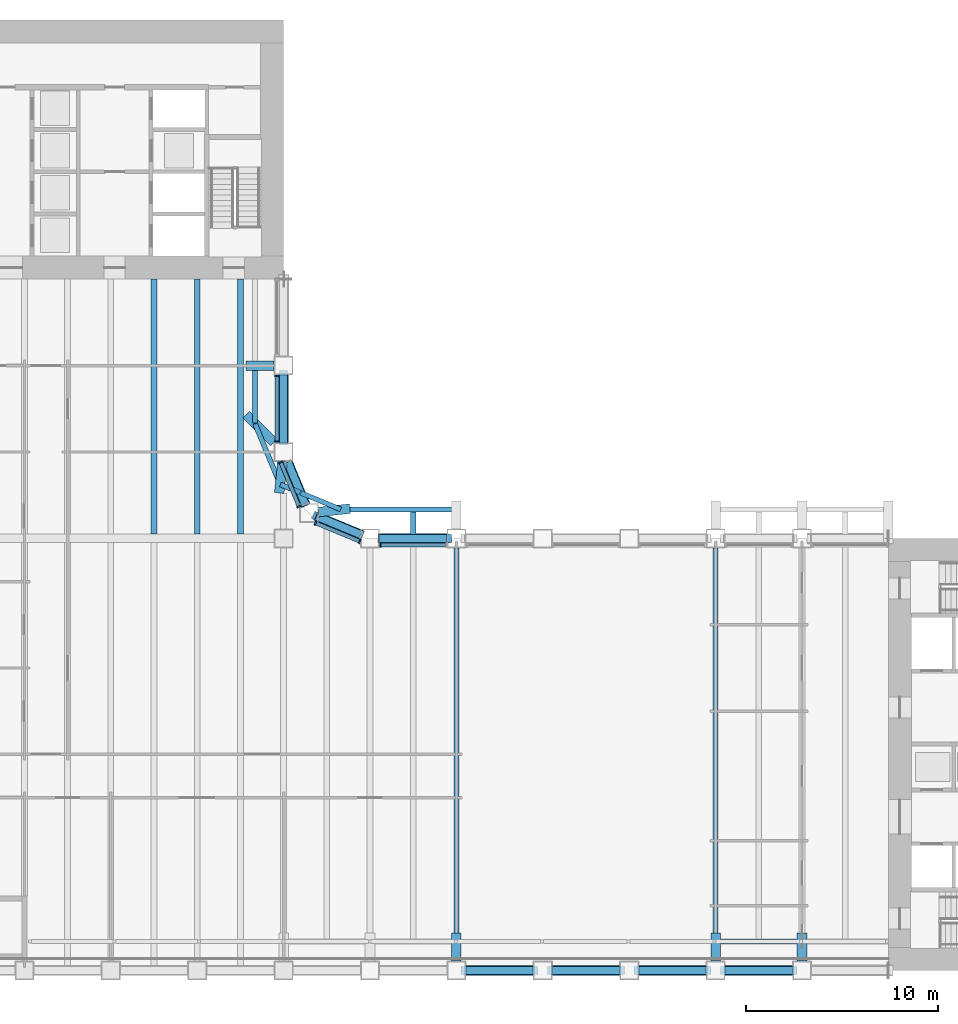
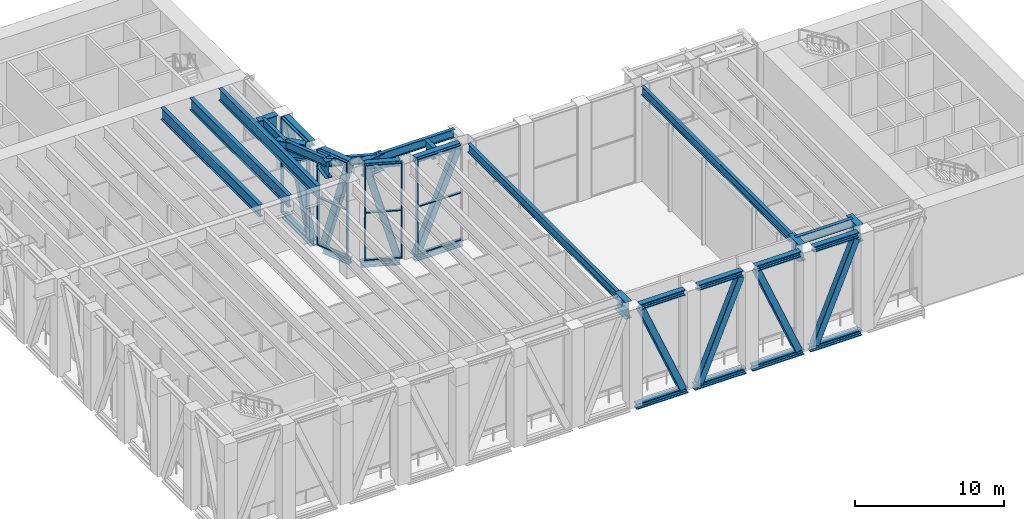
# One storey, part 2 of 21: 43 members, 19 beams, 4 elements without a shape of their own.
"""IFC4 building model written with IfcOpenShell, lengths in metres."""

from ifc_helpers import new_model, si_unit, direction, frame, origin, origin_2d, place, context, subcontext, project, spatial, rectangle, hollow_rectangle, i_section, extrude, material, material_profile, profile_set, type_object, element, aggregate, save


model = new_model("IFC4")

# Units and contexts
model_context = context("Model", 3, precision=1e-05, world=origin(), true_north=direction((0.0, 1.0)))
body_context = subcontext(model_context, "Body", "Model", "MODEL_VIEW")
ifc_project = project(units=[si_unit("LENGTHUNIT", "METRE"), si_unit("AREAUNIT", "SQUARE_METRE"), si_unit("VOLUMEUNIT", "CUBIC_METRE"), si_unit("PLANEANGLEUNIT", "RADIAN"), si_unit("MASSUNIT", "GRAM", prefix="KILO")], contexts=[model_context])

# Site, building, storey
site_placement = place(None, origin())
site = spatial("IfcSite", under=ifc_project, at=site_placement, CompositionType="ELEMENT")
building_placement = place(site_placement, origin())
building = spatial("IfcBuilding", under=site, at=building_placement, Name="Sennacour Bend Tower", CompositionType="ELEMENT")
storey_placement = place(building_placement, frame((0.0, 0.0, 131.0)))
storey = spatial("IfcBuildingStorey", under=building, at=storey_placement, Name="L30", CompositionType="ELEMENT", Elevation=131.0)

# Members
ifc_material_1 = material(Name="Steel ASTM A992 Grade 50", Category="steel")
ifc_material_profile_1 = material_profile(ifc_material_1, i_section(OverallWidth=0.4189453125, OverallDepth=0.455078125, WebThickness=0.042236328125, FlangeThickness=0.067626953125, FilletRadius=0.01513671875, at=origin_2d()), Name="Steel ASTM A992 Grade 50", Category="steel")
ifc_profile_set_1 = profile_set([ifc_material_profile_1], Name="Steel ASTM A992 Grade 50")
member_type_1 = type_object("IfcMemberType", Name="Belt truss chord W360X551", PredefinedType="CHORD", material=ifc_profile_set_1)
member_1_placement = place(storey_placement, frame((22.5, 31.25, -0.4775390625), z_axis=(0.0, -1.0, 0.0), x_axis=(1.0, 0.0, 0.0)))
element("IfcMember", 1, at=member_1_placement, inside=storey, type_object=member_type_1, Name="Belt truss chord BC L30-005", PredefinedType="CHORD", context=body_context, shape_type="SweptSolid", body=[
    extrude(i_section(OverallWidth=0.4189453125, OverallDepth=0.455078125, WebThickness=0.042236328125, FlangeThickness=0.067626953125, FilletRadius=0.01513671875, at=origin_2d()), origin(), (0.0, 0.0, 1.0), 3.896484375),
])
member_2_placement = place(storey_placement, frame((22.75, 26.396484375, -0.4775390625), z_axis=(0.382674756939, -0.923883125943, 0.0), x_axis=(0.923883125943, 0.382674756939, 0.0)))
element("IfcMember", 2, at=member_2_placement, inside=storey, type_object=member_type_1, Name="Belt truss chord BC L30-006", PredefinedType="CHORD", context=body_context, shape_type="SweptSolid", body=[
    extrude(i_section(OverallWidth=0.4189453125, OverallDepth=0.455078125, WebThickness=0.042236328125, FlangeThickness=0.067626953125, FilletRadius=0.01513671875, at=origin_2d()), origin(), (0.0, 0.0, 1.0), 2.27001953125),
])
member_3_placement = place(storey_placement, frame((24.05859375, 23.71826171875, -0.4775390625), z_axis=(0.923899496271, -0.38263523203, 0.0), x_axis=(0.38263523203, 0.923899496271, 0.0)))
element("IfcMember", 3, at=member_3_placement, inside=storey, type_object=member_type_1, Name="Belt truss chord BC L30-007", PredefinedType="CHORD", context=body_context, shape_type="SweptSolid", body=[
    extrude(i_section(OverallWidth=0.4189453125, OverallDepth=0.455078125, WebThickness=0.042236328125, FlangeThickness=0.067626953125, FilletRadius=0.01513671875, at=origin_2d()), origin(), (0.0, 0.0, 1.0), 2.66259765625),
])
member_4_placement = place(storey_placement, frame((27.505859375, 22.5, -0.4775390625), z_axis=(1.0, 0.0, 0.0), x_axis=(0.0, 1.0, 0.0)))
element("IfcMember", 4, at=member_4_placement, inside=storey, type_object=member_type_1, Name="Belt truss chord BC L30-008", PredefinedType="CHORD", context=body_context, shape_type="SweptSolid", body=[
    extrude(i_section(OverallWidth=0.4189453125, OverallDepth=0.455078125, WebThickness=0.042236328125, FlangeThickness=0.067626953125, FilletRadius=0.01513671875, at=origin_2d()), origin(), (0.0, 0.0, 1.0), 3.744140625),
])
for number, where, z_axis, x_axis, name in (
    (5, (49.25, 0.0, -0.4775390625), (-1.0, 0.0, 0.0), (0.0, -1.0, 0.0), "Belt truss chord BC L30-015"),
    (6, (44.75, 0.0, -0.4775390625), (-1.0, 0.0, 0.0), (0.0, -1.0, 0.0), "Belt truss chord BC L30-016"),
    (7, (40.25, 0.0, -0.4775390625), (-1.0, 0.0, 0.0), (0.0, -1.0, 0.0), "Belt truss chord BC L30-017"),
    (8, (35.75, 0.0, -0.4775390625), (-1.0, 0.0, 0.0), (0.0, -1.0, 0.0), "Belt truss chord BC L30-018"),
):
    element("IfcMember", number, at=place(storey_placement, frame(where, z_axis=z_axis, x_axis=x_axis)), inside=storey, type_object=member_type_1, Name=name, PredefinedType="CHORD", context=body_context, shape_type="SweptSolid", body=[
        extrude(i_section(OverallWidth=0.4189453125, OverallDepth=0.455078125, WebThickness=0.042236328125, FlangeThickness=0.067626953125, FilletRadius=0.01513671875, at=origin_2d()), origin(), (0.0, 0.0, 1.0), 4.0),
    ])
member_5_placement = place(storey_placement, frame((22.5, 31.0, 7.62255859375), z_axis=(0.0, -1.0, 0.0), x_axis=(1.0, 0.0, 0.0)))
element("IfcMember", 9, at=member_5_placement, inside=storey, type_object=member_type_1, Name="Belt truss chord BC L30-005", PredefinedType="CHORD", context=body_context, shape_type="SweptSolid", body=[
    extrude(i_section(OverallWidth=0.4189453125, OverallDepth=0.455078125, WebThickness=0.042236328125, FlangeThickness=0.067626953125, FilletRadius=0.01513671875, at=origin_2d()), origin(), (0.0, 0.0, 1.0), 3.5),
])
for number, where, z_axis, x_axis, name in (
    (10, (22.70703125, 26.5, 7.62255859375), (0.382698732017, -0.92387319504, 0.0), (0.92387319504, 0.382698732017, 0.0), "Belt truss chord BC L30-006"),
    (11, (24.318115234375, 23.61083984375, 7.62255859375), (0.92387319504, -0.382698732017, 0.0), (0.382698732017, 0.92387319504, 0.0), "Belt truss chord BC L30-007"),
):
    element("IfcMember", number, at=place(storey_placement, frame(where, z_axis=z_axis, x_axis=x_axis)), inside=storey, type_object=member_type_1, Name=name, PredefinedType="CHORD", context=body_context, shape_type="SweptSolid", body=[
        extrude(i_section(OverallWidth=0.4189453125, OverallDepth=0.455078125, WebThickness=0.042236328125, FlangeThickness=0.067626953125, FilletRadius=0.01513671875, at=origin_2d()), origin(), (0.0, 0.0, 1.0), 2.361572265625),
    ])
for number, where, z_axis, x_axis, name in (
    (12, (27.5, 22.5, 7.62255859375), (1.0, 0.0, 0.0), (0.0, 1.0, 0.0), "Belt truss chord BC L30-008"),
    (13, (49.0, 0.0, 7.62255859375), (-1.0, 0.0, 0.0), (0.0, -1.0, 0.0), "Belt truss chord BC L30-015"),
    (14, (44.5, 0.0, 7.62255859375), (-1.0, 0.0, 0.0), (0.0, -1.0, 0.0), "Belt truss chord BC L30-016"),
    (15, (40.0, 0.0, 7.62255859375), (-1.0, 0.0, 0.0), (0.0, -1.0, 0.0), "Belt truss chord BC L30-017"),
    (16, (35.5, 0.0, 7.62255859375), (-1.0, 0.0, 0.0), (0.0, -1.0, 0.0), "Belt truss chord BC L30-018"),
):
    element("IfcMember", number, at=place(storey_placement, frame(where, z_axis=z_axis, x_axis=x_axis)), inside=storey, type_object=member_type_1, Name=name, PredefinedType="CHORD", context=body_context, shape_type="SweptSolid", body=[
        extrude(i_section(OverallWidth=0.4189453125, OverallDepth=0.455078125, WebThickness=0.042236328125, FlangeThickness=0.067626953125, FilletRadius=0.01513671875, at=origin_2d()), origin(), (0.0, 0.0, 1.0), 3.5),
    ])
ifc_material_2 = material(Name="Steel ASTM A500 Grade C", Category="steel")
ifc_material_profile_2 = material_profile(ifc_material_2, hollow_rectangle(XDim=0.508056640625, YDim=0.508056640625, WallThickness=0.01904296875, InnerFilletRadius=0.01904296875, OuterFilletRadius=0.0380859375, at=origin_2d()), Name="Steel ASTM A500 Grade C", Category="steel")
ifc_profile_set_2 = profile_set([ifc_material_profile_2], Name="Steel ASTM A500 Grade C")
member_type_2 = type_object("IfcMemberType", Name="Belt truss diagonal 508", PredefinedType="BRACE", material=ifc_profile_set_2)
member_6_placement = place(storey_placement, frame((22.5, 30.85009765625, 7.39501953125), z_axis=(0.0, -0.386133424753, -0.922442940397), x_axis=(1.0, 0.0, 0.0)))
element("IfcMember", 17, at=member_6_placement, inside=storey, type_object=member_type_2, Name="Belt truss diagonal BD L30-003", PredefinedType="BRACE", context=body_context, shape_type="SweptSolid", body=[
    extrude(hollow_rectangle(XDim=0.508056640625, YDim=0.508056640625, WallThickness=0.01904296875, InnerFilletRadius=0.01904296875, OuterFilletRadius=0.0380859375, at=origin_2d()), origin(), (0.0, 0.0, 1.0), 8.287841796875),
])
for number, where, z_axis, x_axis, name in (
    (18, (22.748779296875, 26.3994140625, -0.25), (0.103344478525, -0.24949035964, 0.96284706948), (0.923876668051, 0.38269034771, 0.0), "Belt truss diagonal BD L30-004"),
    (19, (24.41845703125, 23.5693359375, 7.39501953125), (0.24949035964, -0.103344478525, -0.96284706948), (0.38269034771, 0.923876668051, 0.0), "Belt truss diagonal BD L30-005"),
):
    element("IfcMember", number, at=place(storey_placement, frame(where, z_axis=z_axis, x_axis=x_axis)), inside=storey, type_object=member_type_2, Name=name, PredefinedType="BRACE", context=body_context, shape_type="SweptSolid", body=[
        extrude(hollow_rectangle(XDim=0.508056640625, YDim=0.508056640625, WallThickness=0.01904296875, InnerFilletRadius=0.01904296875, OuterFilletRadius=0.0380859375, at=origin_2d()), origin(), (0.0, 0.0, 1.0), 7.93994140625),
    ])
for number, where, z_axis, x_axis, name in (
    (20, (27.64990234375, 22.5, -0.25), (0.386133424753, 0.0, 0.922442940397), (0.0, 1.0, 0.0), "Belt truss diagonal BD L30-006"),
    (21, (48.85009765625, 0.0, 7.39501953125), (-0.386133424753, 0.0, -0.922442940397), (0.0, -1.0, 0.0), "Belt truss diagonal BD L30-011"),
    (22, (44.35009765625, 0.0, -0.25), (-0.386133424753, 0.0, 0.922442940397), (0.0, -1.0, 0.0), "Belt truss diagonal BD L30-012"),
    (23, (39.85009765625, 0.0, 7.39501953125), (-0.386133424753, 0.0, -0.922442940397), (0.0, -1.0, 0.0), "Belt truss diagonal BD L30-013"),
    (24, (35.35009765625, 0.0, -0.25), (-0.386133424753, 0.0, 0.922442940397), (0.0, -1.0, 0.0), "Belt truss diagonal BD L30-014"),
):
    element("IfcMember", number, at=place(storey_placement, frame(where, z_axis=z_axis, x_axis=x_axis)), inside=storey, type_object=member_type_2, Name=name, PredefinedType="BRACE", context=body_context, shape_type="SweptSolid", body=[
        extrude(hollow_rectangle(XDim=0.508056640625, YDim=0.508056640625, WallThickness=0.01904296875, InnerFilletRadius=0.01904296875, OuterFilletRadius=0.0380859375, at=origin_2d()), origin(), (0.0, 0.0, 1.0), 8.287841796875),
    ])

# Curtain wall, members
ifc_material_3 = material(Name="Bronze anodised aluminium curtain wall with clear glass", Category="aluminium")
curtain_wall_type = type_object("IfcCurtainWallType", Name="CURTAIN WALL GARDEN", PredefinedType="NOTDEFINED", material=ifc_material_3)
curtain_wall_1_placement = place(storey_placement, origin())
curtain_wall_1 = element("IfcCurtainWall", 25, at=curtain_wall_1_placement, inside=storey, type_object=curtain_wall_type, Name="Sky garden glass wall L30", PredefinedType="NOTDEFINED")
ifc_material_4 = material(Name="Aluminium 6063-T6", Category="aluminium")
ifc_material_profile_3 = material_profile(ifc_material_4, rectangle(XDim=0.25, YDim=0.080078125, at=origin_2d()), Name="Aluminium 6063-T6", Category="aluminium")
ifc_profile_set_3 = profile_set([ifc_material_profile_3], Name="Aluminium 6063-T6")
member_type_3 = type_object("IfcMemberType", Name="CW-MULLION-250X80", PredefinedType="MULLION", material=ifc_profile_set_3)
member_7_placement = place(storey_placement, frame((22.156005859375, 30.9599609375, 0.0), z_axis=(0.0, 0.0, 1.0), x_axis=(1.0, 0.0, 0.0)))
member_7 = element("IfcMember", 26, at=member_7_placement, type_object=member_type_3, Name="GW6 curtain wall mullion 1", PredefinedType="MULLION", context=body_context, shape_type="SweptSolid", body=[
    extrude(rectangle(XDim=0.25, YDim=0.080078125, at=origin_2d()), origin(), (0.0, 0.0, 1.0), 7.85009765625),
])
member_8_placement = place(storey_placement, frame((22.156005859375, 27.5400390625, 0.0), z_axis=(0.0, 0.0, 1.0), x_axis=(1.0, 0.0, 0.0)))
member_8 = element("IfcMember", 27, at=member_8_placement, type_object=member_type_3, Name="GW6 curtain wall mullion 2", PredefinedType="MULLION", context=body_context, shape_type="SweptSolid", body=[
    extrude(rectangle(XDim=0.25, YDim=0.080078125, at=origin_2d()), origin(), (0.0, 0.0, 1.0), 7.85009765625),
])

# Curtain wall, member
curtain_wall_2_placement = place(storey_placement, origin())
curtain_wall_2 = element("IfcCurtainWall", 28, at=curtain_wall_2_placement, inside=storey, type_object=curtain_wall_type, Name="Sky garden glass wall L30", PredefinedType="NOTDEFINED")
member_9_placement = place(storey_placement, frame((27.5400390625, 22.156005859375, 0.0), z_axis=(0.0, 0.0, 1.0), x_axis=(0.0, 1.0, 0.0)))
member_9 = element("IfcMember", 29, at=member_9_placement, type_object=member_type_3, Name="GW6 curtain wall mullion 1", PredefinedType="MULLION", context=body_context, shape_type="SweptSolid", body=[
    extrude(rectangle(XDim=0.25, YDim=0.080078125, at=origin_2d()), origin(), (0.0, 0.0, 1.0), 7.85009765625),
])

# Curtain wall, members
curtain_wall_3_placement = place(storey_placement, origin())
curtain_wall_3 = element("IfcCurtainWall", 30, at=curtain_wall_3_placement, inside=storey, type_object=curtain_wall_type, Name="Sky garden glass wall L30", PredefinedType="NOTDEFINED")
member_10_placement = place(storey_placement, frame((22.35009765625, 26.463134765625, 0.0), z_axis=(0.0, 0.0, 1.0), x_axis=(0.923885448441, 0.382669149734, 0.0)))
member_10 = element("IfcMember", 31, at=member_10_placement, type_object=member_type_3, Name="GW6 curtain wall mullion 1", PredefinedType="MULLION", context=body_context, shape_type="SweptSolid", body=[
    extrude(rectangle(XDim=0.25, YDim=0.080078125, at=origin_2d()), origin(), (0.0, 0.0, 1.0), 7.85009765625),
])
member_11_placement = place(storey_placement, frame((23.302734375, 24.162841796875, 0.0), z_axis=(0.0, 0.0, 1.0), x_axis=(0.923885448441, 0.382669149734, 0.0)))
member_11 = element("IfcMember", 32, at=member_11_placement, type_object=member_type_3, Name="GW6 curtain wall mullion 2", PredefinedType="MULLION", context=body_context, shape_type="SweptSolid", body=[
    extrude(rectangle(XDim=0.25, YDim=0.080078125, at=origin_2d()), origin(), (0.0, 0.0, 1.0), 7.85009765625),
])

curtain_wall_4_placement = place(storey_placement, origin())
curtain_wall_4 = element("IfcCurtainWall", 33, at=curtain_wall_4_placement, inside=storey, type_object=curtain_wall_type, Name="Sky garden glass wall L30", PredefinedType="NOTDEFINED")
member_12_placement = place(storey_placement, frame((24.162841796875, 23.302734375, 0.0), z_axis=(0.0, 0.0, 1.0), x_axis=(0.382669149734, 0.923885448441, 0.0)))
member_12 = element("IfcMember", 34, at=member_12_placement, type_object=member_type_3, Name="GW6 curtain wall mullion 1", PredefinedType="MULLION", context=body_context, shape_type="SweptSolid", body=[
    extrude(rectangle(XDim=0.25, YDim=0.080078125, at=origin_2d()), origin(), (0.0, 0.0, 1.0), 7.85009765625),
])
member_13_placement = place(storey_placement, frame((26.463134765625, 22.35009765625, 0.0), z_axis=(0.0, 0.0, 1.0), x_axis=(0.382669149734, 0.923885448441, 0.0)))
member_13 = element("IfcMember", 35, at=member_13_placement, type_object=member_type_3, Name="GW6 curtain wall mullion 2", PredefinedType="MULLION", context=body_context, shape_type="SweptSolid", body=[
    extrude(rectangle(XDim=0.25, YDim=0.080078125, at=origin_2d()), origin(), (0.0, 0.0, 1.0), 7.85009765625),
])

# Member
ifc_material_profile_4 = material_profile(ifc_material_4, rectangle(XDim=0.199951171875, YDim=0.080078125, at=origin_2d()), Name="Aluminium 6063-T6", Category="aluminium")
ifc_profile_set_4 = profile_set([ifc_material_profile_4], Name="Aluminium 6063-T6")
member_type_4 = type_object("IfcMemberType", Name="CW-TRANSOM-200X80", PredefinedType="USERDEFINED", material=ifc_profile_set_4)
member_14_placement = place(storey_placement, frame((22.156005859375, 30.919921875, 0.0400390625), z_axis=(0.0, -1.0, 0.0), x_axis=(1.0, 0.0, 0.0)))
member_14 = element("IfcMember", 36, at=member_14_placement, type_object=member_type_4, Name="GW6 curtain wall transom 1.1", ObjectType="TRANSOM", PredefinedType="USERDEFINED", context=body_context, shape_type="SweptSolid", body=[
    extrude(rectangle(XDim=0.199951171875, YDim=0.080078125, at=origin_2d()), origin(), (0.0, 0.0, 1.0), 3.33984375),
])

member_15_placement = place(storey_placement, frame((22.156005859375, 30.919921875, 3.925048828125), z_axis=(0.0, -1.0, 0.0), x_axis=(1.0, 0.0, 0.0)))
member_15 = element("IfcMember", 37, at=member_15_placement, type_object=member_type_4, Name="GW6 curtain wall transom 1.2", ObjectType="TRANSOM", PredefinedType="USERDEFINED", context=body_context, shape_type="SweptSolid", body=[
    extrude(rectangle(XDim=0.199951171875, YDim=0.080078125, at=origin_2d()), origin(), (0.0, 0.0, 1.0), 3.33984375),
])

member_16_placement = place(storey_placement, frame((22.156005859375, 30.919921875, 7.81005859375), z_axis=(0.0, -1.0, 0.0), x_axis=(1.0, 0.0, 0.0)))
member_16 = element("IfcMember", 38, at=member_16_placement, type_object=member_type_4, Name="GW6 curtain wall transom 1.3", ObjectType="TRANSOM", PredefinedType="USERDEFINED", context=body_context, shape_type="SweptSolid", body=[
    extrude(rectangle(XDim=0.199951171875, YDim=0.080078125, at=origin_2d()), origin(), (0.0, 0.0, 1.0), 3.33984375),
])

aggregate(curtain_wall_1, [member_7, member_8, member_14, member_15, member_16])

member_17_placement = place(storey_placement, frame((27.580078125, 22.156005859375, 0.0400390625), z_axis=(1.0, 0.0, 0.0), x_axis=(0.0, 1.0, 0.0)))
member_17 = element("IfcMember", 39, at=member_17_placement, type_object=member_type_4, Name="GW6 curtain wall transom 1.1", ObjectType="TRANSOM", PredefinedType="USERDEFINED", context=body_context, shape_type="SweptSolid", body=[
    extrude(rectangle(XDim=0.199951171875, YDim=0.080078125, at=origin_2d()), origin(), (0.0, 0.0, 1.0), 3.33984375),
])

member_18_placement = place(storey_placement, frame((27.580078125, 22.156005859375, 3.925048828125), z_axis=(1.0, 0.0, 0.0), x_axis=(0.0, 1.0, 0.0)))
member_18 = element("IfcMember", 40, at=member_18_placement, type_object=member_type_4, Name="GW6 curtain wall transom 1.2", ObjectType="TRANSOM", PredefinedType="USERDEFINED", context=body_context, shape_type="SweptSolid", body=[
    extrude(rectangle(XDim=0.199951171875, YDim=0.080078125, at=origin_2d()), origin(), (0.0, 0.0, 1.0), 3.33984375),
])

member_19_placement = place(storey_placement, frame((27.580078125, 22.156005859375, 7.81005859375), z_axis=(1.0, 0.0, 0.0), x_axis=(0.0, 1.0, 0.0)))
member_19 = element("IfcMember", 41, at=member_19_placement, type_object=member_type_4, Name="GW6 curtain wall transom 1.3", ObjectType="TRANSOM", PredefinedType="USERDEFINED", context=body_context, shape_type="SweptSolid", body=[
    extrude(rectangle(XDim=0.199951171875, YDim=0.080078125, at=origin_2d()), origin(), (0.0, 0.0, 1.0), 3.33984375),
])

aggregate(curtain_wall_2, [member_9, member_17, member_18, member_19])

member_20_placement = place(storey_placement, frame((22.365478515625, 26.426025390625, 0.0400390625), z_axis=(0.382700793239, -0.923872341211, 0.0), x_axis=(0.923872341211, 0.382700793239, 0.0)))
member_20 = element("IfcMember", 42, at=member_20_placement, type_object=member_type_4, Name="GW6 curtain wall transom 1.1", ObjectType="TRANSOM", PredefinedType="USERDEFINED", context=body_context, shape_type="SweptSolid", body=[
    extrude(rectangle(XDim=0.199951171875, YDim=0.080078125, at=origin_2d()), origin(), (0.0, 0.0, 1.0), 2.409423828125),
])

member_21_placement = place(storey_placement, frame((22.365478515625, 26.426025390625, 3.925048828125), z_axis=(0.382700793239, -0.923872341211, 0.0), x_axis=(0.923872341211, 0.382700793239, 0.0)))
member_21 = element("IfcMember", 43, at=member_21_placement, type_object=member_type_4, Name="GW6 curtain wall transom 1.2", ObjectType="TRANSOM", PredefinedType="USERDEFINED", context=body_context, shape_type="SweptSolid", body=[
    extrude(rectangle(XDim=0.199951171875, YDim=0.080078125, at=origin_2d()), origin(), (0.0, 0.0, 1.0), 2.409423828125),
])

member_22_placement = place(storey_placement, frame((22.365478515625, 26.426025390625, 7.81005859375), z_axis=(0.382700793239, -0.923872341211, 0.0), x_axis=(0.923872341211, 0.382700793239, 0.0)))
member_22 = element("IfcMember", 44, at=member_22_placement, type_object=member_type_4, Name="GW6 curtain wall transom 1.3", ObjectType="TRANSOM", PredefinedType="USERDEFINED", context=body_context, shape_type="SweptSolid", body=[
    extrude(rectangle(XDim=0.199951171875, YDim=0.080078125, at=origin_2d()), origin(), (0.0, 0.0, 1.0), 2.409423828125),
])

aggregate(curtain_wall_3, [member_10, member_11, member_20, member_21, member_22])

member_23_placement = place(storey_placement, frame((24.199951171875, 23.28759765625, 0.0400390625), z_axis=(0.923872341211, -0.382700793239, 0.0), x_axis=(0.382700793239, 0.923872341211, 0.0)))
member_23 = element("IfcMember", 45, at=member_23_placement, type_object=member_type_4, Name="GW6 curtain wall transom 1.1", ObjectType="TRANSOM", PredefinedType="USERDEFINED", context=body_context, shape_type="SweptSolid", body=[
    extrude(rectangle(XDim=0.199951171875, YDim=0.080078125, at=origin_2d()), origin(), (0.0, 0.0, 1.0), 2.409423828125),
])

member_24_placement = place(storey_placement, frame((24.199951171875, 23.28759765625, 3.925048828125), z_axis=(0.923872341211, -0.382700793239, 0.0), x_axis=(0.382700793239, 0.923872341211, 0.0)))
member_24 = element("IfcMember", 46, at=member_24_placement, type_object=member_type_4, Name="GW6 curtain wall transom 1.2", ObjectType="TRANSOM", PredefinedType="USERDEFINED", context=body_context, shape_type="SweptSolid", body=[
    extrude(rectangle(XDim=0.199951171875, YDim=0.080078125, at=origin_2d()), origin(), (0.0, 0.0, 1.0), 2.409423828125),
])

member_25_placement = place(storey_placement, frame((24.199951171875, 23.28759765625, 7.81005859375), z_axis=(0.923872341211, -0.382700793239, 0.0), x_axis=(0.382700793239, 0.923872341211, 0.0)))
member_25 = element("IfcMember", 47, at=member_25_placement, type_object=member_type_4, Name="GW6 curtain wall transom 1.3", ObjectType="TRANSOM", PredefinedType="USERDEFINED", context=body_context, shape_type="SweptSolid", body=[
    extrude(rectangle(XDim=0.199951171875, YDim=0.080078125, at=origin_2d()), origin(), (0.0, 0.0, 1.0), 2.409423828125),
])

aggregate(curtain_wall_4, [member_12, member_13, member_23, member_24, member_25])

# Beams
ifc_material_profile_5 = material_profile(ifc_material_1, i_section(OverallWidth=0.300048828125, OverallDepth=0.97998046875, WebThickness=0.0166015625, FlangeThickness=0.026123046875, FilletRadius=0.02978515625, at=origin_2d()), Name="Steel ASTM A992 Grade 50", Category="steel")
ifc_profile_set_5 = profile_set([ifc_material_profile_5], Name="Steel ASTM A992 Grade 50")
beam_type_1 = type_object("IfcBeamType", Name="Floor beam W1000X249", PredefinedType="BEAM", material=ifc_profile_set_5)
for number, where, z_axis, x_axis, name in (
    (48, (15.75, 22.72509765625, 7.360107421875), (0.0, 1.0, 0.0), (-1.0, 0.0, 0.0), "Floor beam FBM2 L31-014"),
    (49, (18.0, 22.72509765625, 7.360107421875), (0.0, 1.0, 0.0), (-1.0, 0.0, 0.0), "Floor beam FBM2 L31-016"),
    (50, (20.25, 22.72509765625, 7.360107421875), (0.0, 1.0, 0.0), (-1.0, 0.0, 0.0), "Floor beam FBM2 L31-018"),
):
    element("IfcBeam", number, at=place(storey_placement, frame(where, z_axis=z_axis, x_axis=x_axis)), inside=storey, type_object=beam_type_1, Name=name, PredefinedType="BEAM", context=body_context, shape_type="SweptSolid", body=[
        extrude(i_section(OverallWidth=0.300048828125, OverallDepth=0.97998046875, WebThickness=0.0166015625, FlangeThickness=0.026123046875, FilletRadius=0.02978515625, at=origin_2d()), origin(), (0.0, 0.0, 1.0), 13.27490234375),
    ])
beam_1_placement = place(storey_placement, frame((29.25, 22.70947265625, 7.360107421875), z_axis=(0.0, 1.0, 0.0), x_axis=(-1.0, 0.0, 0.0)))
element("IfcBeam", 51, at=beam_1_placement, inside=storey, type_object=beam_type_1, Name="Floor beam FBM2 L31-024", PredefinedType="BEAM", context=body_context, shape_type="SweptSolid", body=[
    extrude(i_section(OverallWidth=0.300048828125, OverallDepth=0.97998046875, WebThickness=0.0166015625, FlangeThickness=0.026123046875, FilletRadius=0.02978515625, at=origin_2d()), origin(), (0.0, 0.0, 1.0), 1.16357421875),
])
ifc_material_profile_6 = material_profile(ifc_material_1, i_section(OverallWidth=0.25390625, OverallDepth=0.700927734375, WebThickness=0.015380859375, FlangeThickness=0.02783203125, FilletRadius=0.015380859375, at=origin_2d()), Name="Steel ASTM A992 Grade 50", Category="steel")
ifc_profile_set_6 = profile_set([ifc_material_profile_6], Name="Steel ASTM A992 Grade 50")
beam_type_2 = type_object("IfcBeamType", Name="Spandrel beam W690X192", PredefinedType="SPANDREL", material=ifc_profile_set_6)
beam_2_placement = place(storey_placement, frame((45.0, 1.949951171875, 7.49951171875), z_axis=(0.0, 1.0, 0.0), x_axis=(-1.0, 0.0, 0.0)))
element("IfcBeam", 52, at=beam_2_placement, inside=storey, type_object=beam_type_2, Name="Spandrel beam SP4 L31-001", PredefinedType="SPANDREL", context=body_context, shape_type="SweptSolid", body=[
    extrude(i_section(OverallWidth=0.25390625, OverallDepth=0.700927734375, WebThickness=0.015380859375, FlangeThickness=0.02783203125, FilletRadius=0.015380859375, at=origin_2d()), origin(), (0.0, 0.0, 1.0), 20.050048828125),
])
beam_3_placement = place(storey_placement, frame((49.485107421875, 1.5, 7.49951171875), z_axis=(-1.0, 0.0, 0.0), x_axis=(0.0, -1.0, 0.0)))
element("IfcBeam", 53, at=beam_3_placement, inside=storey, type_object=beam_type_2, Name="Spandrel beam SP4 L31-005", PredefinedType="SPANDREL", context=body_context, shape_type="SweptSolid", body=[
    extrude(i_section(OverallWidth=0.25390625, OverallDepth=0.700927734375, WebThickness=0.015380859375, FlangeThickness=0.02783203125, FilletRadius=0.015380859375, at=origin_2d()), origin(), (0.0, 0.0, 1.0), 4.47021484375),
])
beam_4_placement = place(storey_placement, frame((31.5, 22.0, 7.49951171875), z_axis=(0.0, -1.0, 0.0), x_axis=(1.0, 0.0, 0.0)))
element("IfcBeam", 54, at=beam_4_placement, inside=storey, type_object=beam_type_2, Name="Spandrel beam SP4 L31-006", PredefinedType="SPANDREL", context=body_context, shape_type="SweptSolid", body=[
    extrude(i_section(OverallWidth=0.25390625, OverallDepth=0.700927734375, WebThickness=0.015380859375, FlangeThickness=0.02783203125, FilletRadius=0.015380859375, at=origin_2d()), origin(), (0.0, 0.0, 1.0), 20.050048828125),
])
beam_5_placement = place(storey_placement, frame((21.0, 31.485107421875, 7.49951171875), z_axis=(0.0, -1.0, 0.0), x_axis=(1.0, 0.0, 0.0)))
element("IfcBeam", 55, at=beam_5_placement, inside=storey, type_object=beam_type_2, Name="Spandrel beam SP4 L31-013", PredefinedType="SPANDREL", context=body_context, shape_type="SweptSolid", body=[
    extrude(i_section(OverallWidth=0.25390625, OverallDepth=0.700927734375, WebThickness=0.015380859375, FlangeThickness=0.02783203125, FilletRadius=0.015380859375, at=origin_2d()), origin(), (0.0, 0.0, 1.0), 2.9638671875),
])
beam_6_placement = place(storey_placement, frame((21.014892578125, 28.4638671875, 7.49951171875), z_axis=(0.382728857537, -0.923860715481, 0.0), x_axis=(0.923860715481, 0.382728857537, 0.0)))
element("IfcBeam", 56, at=beam_6_placement, inside=storey, type_object=beam_type_2, Name="Spandrel beam SP4 L31-014", PredefinedType="SPANDREL", context=body_context, shape_type="SweptSolid", body=[
    extrude(i_section(OverallWidth=0.25390625, OverallDepth=0.700927734375, WebThickness=0.015380859375, FlangeThickness=0.02783203125, FilletRadius=0.015380859375, at=origin_2d()), origin(), (0.0, 0.0, 1.0), 3.373779296875),
])
beam_7_placement = place(storey_placement, frame((22.33251953125, 25.31201171875, 7.49951171875), z_axis=(0.923887282057, -0.38266472277, 0.0), x_axis=(0.38266472277, 0.923887282057, 0.0)))
element("IfcBeam", 57, at=beam_7_placement, inside=storey, type_object=beam_type_2, Name="Spandrel beam SP4 L31-015", PredefinedType="SPANDREL", context=body_context, shape_type="SweptSolid", body=[
    extrude(i_section(OverallWidth=0.25390625, OverallDepth=0.700927734375, WebThickness=0.015380859375, FlangeThickness=0.02783203125, FilletRadius=0.015380859375, at=origin_2d()), origin(), (0.0, 0.0, 1.0), 1.1025390625),
])
beam_8_placement = place(storey_placement, frame((23.40625, 24.8671875, 7.49951171875), z_axis=(0.923895686767, -0.382644430213, 0.0), x_axis=(0.382644430213, 0.923895686767, 0.0)))
element("IfcBeam", 58, at=beam_8_placement, inside=storey, type_object=beam_type_2, Name="Spandrel beam SP4 L31-016", PredefinedType="SPANDREL", context=body_context, shape_type="SweptSolid", body=[
    extrude(i_section(OverallWidth=0.25390625, OverallDepth=0.700927734375, WebThickness=0.015380859375, FlangeThickness=0.02783203125, FilletRadius=0.015380859375, at=origin_2d()), origin(), (0.0, 0.0, 1.0), 2.235107421875),
])
beam_9_placement = place(storey_placement, frame((25.639404296875, 24.0, 7.49951171875), z_axis=(1.0, 0.0, 0.0), x_axis=(0.0, 1.0, 0.0)))
element("IfcBeam", 59, at=beam_9_placement, inside=storey, type_object=beam_type_2, Name="Spandrel beam SP4 L31-017", PredefinedType="SPANDREL", context=body_context, shape_type="SweptSolid", body=[
    extrude(i_section(OverallWidth=0.25390625, OverallDepth=0.700927734375, WebThickness=0.015380859375, FlangeThickness=0.02783203125, FilletRadius=0.015380859375, at=origin_2d()), origin(), (0.0, 0.0, 1.0), 5.845703125),
])
ifc_material_5 = material(Name="Steel ASTM A572 Grade 50", Category="steel")
ifc_material_profile_7 = material_profile(ifc_material_5, i_section(OverallWidth=0.5, OverallDepth=1.39990234375, WebThickness=0.030029296875, FlangeThickness=0.054931640625, at=origin_2d()), Name="Steel ASTM A572 Grade 50", Category="steel")
ifc_profile_set_7 = profile_set([ifc_material_profile_7], Name="Steel ASTM A572 Grade 50")
beam_type_3 = type_object("IfcBeamType", Name="Transfer stub 1400", PredefinedType="USERDEFINED", material=ifc_profile_set_7)
beam_10_placement = place(storey_placement, frame((22.0, 27.5, 7.14990234375), z_axis=(-0.707106781187, 0.707106781187, 0.0), x_axis=(-0.707106781187, -0.707106781187, 0.0)))
element("IfcBeam", 60, at=beam_10_placement, inside=storey, type_object=beam_type_3, Name="Transfer beam TS L31-005", ObjectType="TRANSFER BEAM", PredefinedType="USERDEFINED", context=body_context, shape_type="SweptSolid", body=[
    extrude(i_section(OverallWidth=0.5, OverallDepth=1.39990234375, WebThickness=0.030029296875, FlangeThickness=0.054931640625, at=origin_2d()), origin(), (0.0, 0.0, 1.0), 2.050537109375),
])
beam_11_placement = place(storey_placement, frame((22.0, 31.5, 7.14990234375), z_axis=(-1.0, 0.0, 0.0), x_axis=(0.0, -1.0, 0.0)))
element("IfcBeam", 61, at=beam_11_placement, inside=storey, type_object=beam_type_3, Name="Transfer beam TS L31-006", ObjectType="TRANSFER BEAM", PredefinedType="USERDEFINED", context=body_context, shape_type="SweptSolid", body=[
    extrude(i_section(OverallWidth=0.5, OverallDepth=1.39990234375, WebThickness=0.030029296875, FlangeThickness=0.054931640625, at=origin_2d()), origin(), (0.0, 0.0, 1.0), 1.449951171875),
])
beam_12_placement = place(storey_placement, frame((22.44580078125, 26.5, 7.14990234375), z_axis=(-0.107525546555, -0.994202321883, 0.0), x_axis=(0.994202321883, -0.107525546555, 0.0)))
element("IfcBeam", 62, at=beam_12_placement, inside=storey, type_object=beam_type_3, Name="Transfer beam TS L31-007", ObjectType="TRANSFER BEAM", PredefinedType="USERDEFINED", context=body_context, shape_type="SweptSolid", body=[
    extrude(i_section(OverallWidth=0.5, OverallDepth=1.39990234375, WebThickness=0.030029296875, FlangeThickness=0.054931640625, at=origin_2d()), origin(), (0.0, 0.0, 1.0), 1.6416015625),
])
beam_13_placement = place(storey_placement, frame((24.318115234375, 23.8720703125, 7.14990234375), z_axis=(0.994200602024, 0.107541447526, 0.0), x_axis=(-0.107541447526, 0.994200602024, 0.0)))
element("IfcBeam", 63, at=beam_13_placement, inside=storey, type_object=beam_type_3, Name="Transfer beam TS L31-009", ObjectType="TRANSFER BEAM", PredefinedType="USERDEFINED", context=body_context, shape_type="SweptSolid", body=[
    extrude(i_section(OverallWidth=0.5, OverallDepth=1.39990234375, WebThickness=0.030029296875, FlangeThickness=0.054931640625, at=origin_2d()), origin(), (0.0, 0.0, 1.0), 1.641357421875),
])
for number, where, z_axis, x_axis, name in (
    (64, (31.5, 0.5, 7.14990234375), (0.0, 1.0, 0.0), (-1.0, 0.0, 0.0), "Transfer beam TS L31-011"),
    (65, (45.0, 0.5, 7.14990234375), (0.0, 1.0, 0.0), (-1.0, 0.0, 0.0), "Transfer beam TS L31-013"),
    (66, (49.5, 0.5, 7.14990234375), (0.0, 1.0, 0.0), (-1.0, 0.0, 0.0), "Transfer beam TS L31-015"),
):
    element("IfcBeam", number, at=place(storey_placement, frame(where, z_axis=z_axis, x_axis=x_axis)), inside=storey, type_object=beam_type_3, Name=name, ObjectType="TRANSFER BEAM", PredefinedType="USERDEFINED", context=body_context, shape_type="SweptSolid", body=[
        extrude(i_section(OverallWidth=0.5, OverallDepth=1.39990234375, WebThickness=0.030029296875, FlangeThickness=0.054931640625, at=origin_2d()), origin(), (0.0, 0.0, 1.0), 1.449951171875),
    ])

save(model, "model.ifc")
